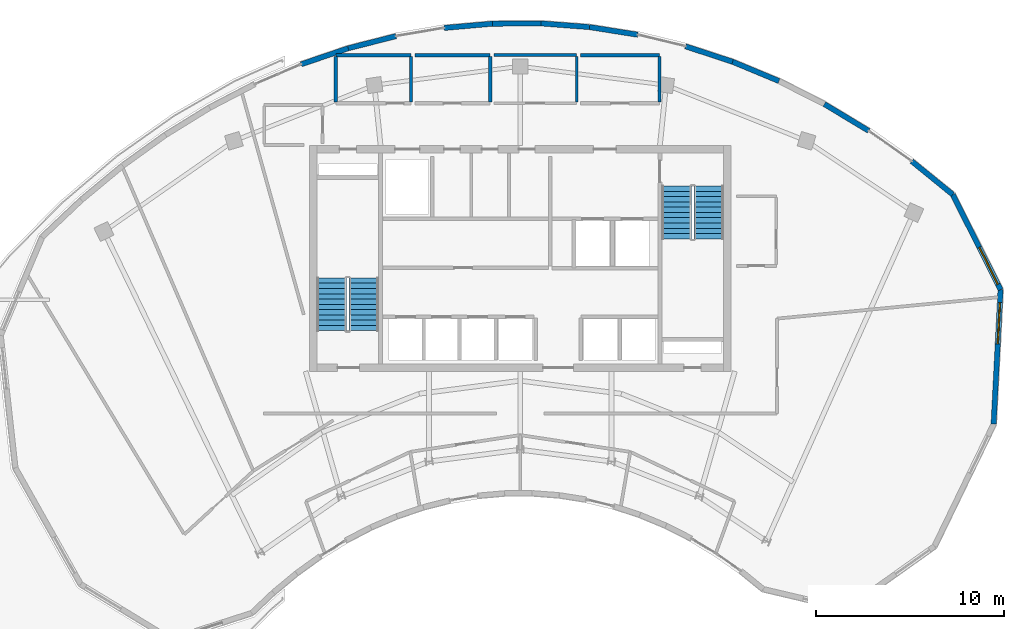
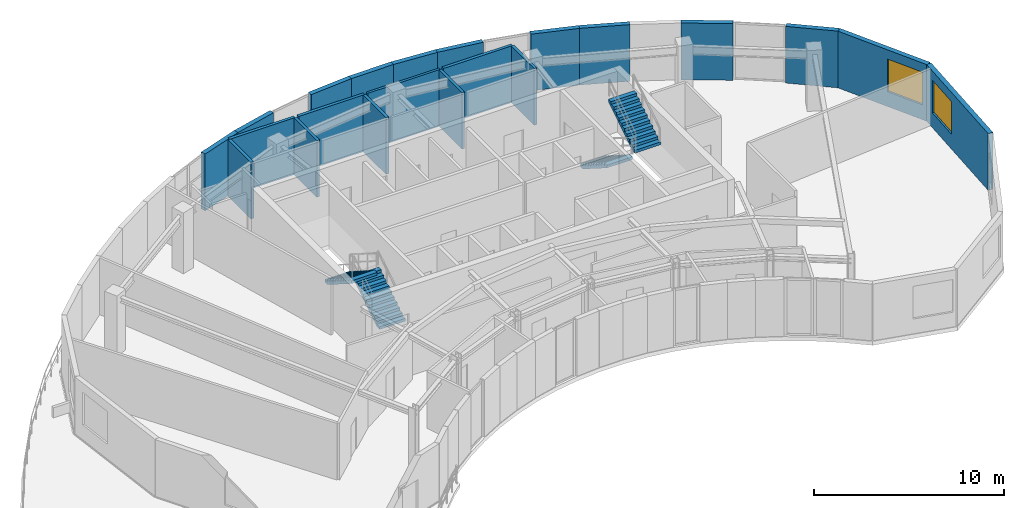
# One storey, part 9 of 11: 21 walls, 4 stair flights, 2 windows, 2 openings, 2 elements without a shape of their own.
"""IFC4 building model written with IfcOpenShell, lengths in metres."""

from ifc_helpers import new_model, si_unit, direction, frame, frame_2d, origin, place, context, subcontext, project, spatial, polyline, rectangle, outline, extrude, source, transform, mapped, material, layer, layer_set, type_object, type_shapes, element, fill, aggregate, save


model = new_model("IFC4")

# Units and contexts
model_context = context("Model", 3, precision=1e-05, world=origin(), true_north=direction((0.0, 1.0)))
body_context = subcontext(model_context, "Body", "Model", "MODEL_VIEW")
ifc_project = project(units=[si_unit("LENGTHUNIT", "METRE"), si_unit("AREAUNIT", "SQUARE_METRE"), si_unit("VOLUMEUNIT", "CUBIC_METRE"), si_unit("PLANEANGLEUNIT", "RADIAN"), si_unit("MASSUNIT", "GRAM", prefix="KILO")], contexts=[model_context])

# Site, building, storey
site_placement = place(None, origin())
site = spatial("IfcSite", under=ifc_project, at=site_placement, CompositionType="ELEMENT")
building_placement = place(site_placement, origin())
building = spatial("IfcBuilding", under=site, at=building_placement, Name="Breltana Convention Tower", CompositionType="ELEMENT")
storey_placement = place(building_placement, frame((0.0, 0.0, 275.699951171875)))
storey = spatial("IfcBuildingStorey", under=building, at=storey_placement, Name="L67", CompositionType="ELEMENT", Elevation=275.699951171875)

# Wall, opening, window
ifc_material_1 = material(Name="Limestone Buff Insulated Wall", Category="masonry")
ifc_layer_1 = layer(ifc_material_1, 0.280029296875, Name="Limestone Buff Insulated Wall")
ifc_layer_set_1 = layer_set([ifc_layer_1], Name="Limestone Buff Insulated Wall")
wall_type_1 = type_object("IfcWallType", Name="WL-EXT-NOSE-280", PredefinedType="SOLIDWALL", material=ifc_layer_set_1)
shared_shape_1 = source(origin(), body_context, "Body", "SweptSolid", [
    extrude(rectangle(XDim=5.6533203125, YDim=0.280029296875, at=frame_2d((2.82666015625, 0.0))), origin(), (0.0, 0.0, 1.0), 3.64013671875),
])
wall_1_placement = place(storey_placement, frame((70.976318359375, 69.5908203125, 0.0), z_axis=(0.0, 0.0, 1.0), x_axis=(0.449302555419, -0.893379658205, 0.0)))
wall_1 = element("IfcWall", 1, at=wall_1_placement, inside=storey, type_object=wall_type_1, Name="L67 curved limestone nose wall E1", PredefinedType="SOLIDWALL", context=body_context, shape_type="MappedRepresentation", body=[
    mapped(shared_shape_1, transform((0.0, 0.0, 0.0), scale=1.0)),
])
opening_1_placement = place(wall_1_placement, frame((3.139892578125, 0.0, 0.949951171875)))
opening_1 = element("IfcOpeningElement", 2, at=opening_1_placement, cuts=wall_1, Name="Opening W-03", PredefinedType="OPENING", context=body_context, shape_type="SweptSolid", body=[
    extrude(rectangle(XDim=2.199951171875, YDim=2.10009765625, at=frame_2d((1.10009765625, 1.050048828125))), frame((0.0, 0.14990234375, 0.0), z_axis=(0.0, -1.0, 0.0), x_axis=(1.0, 0.0, 0.0)), (0.0, 0.0, 1.0), 0.300048828125),
])
ifc_material_2 = material(Name="Glass Low-E Insulated Window", Category="glass")
window_type = type_object("IfcWindowType", Name="WN-NOSE-2200X2100", PartitioningType="TRIPLE_PANEL_VERTICAL", PredefinedType="WINDOW", material=ifc_material_2)
shared_shape_2 = source(origin(), body_context, "Body", "SweptSolid", [
    extrude(rectangle(XDim=2.199951171875, YDim=2.10009765625, at=frame_2d((1.10009765625, 1.050048828125))), frame((0.0, 0.030029296875, 0.0), z_axis=(0.0, -1.0, 0.0), x_axis=(1.0, 0.0, 0.0)), (0.0, 0.0, 1.0), 0.06005859375),
])
type_shapes(window_type, [shared_shape_2])
window_1_placement = place(opening_1_placement, origin())
window_1 = element("IfcWindow", 3, at=window_1_placement, inside=storey, type_object=window_type, Name="L67 nose window E1", OverallHeight=2.10009765625, OverallWidth=2.199951171875, PartitioningType="TRIPLE_PANEL_VERTICAL", PredefinedType="WINDOW", context=body_context, shape_type="MappedRepresentation", body=[
    mapped(shared_shape_2, transform((0.0, 0.0, 0.0), scale=1.0)),
])
fill(opening_1, window_1)

shared_shape_3 = source(origin(), body_context, "Body", "SweptSolid", [
    extrude(rectangle(XDim=7.151123046875, YDim=0.280029296875, at=frame_2d((3.57568359375, 0.0))), origin(), (0.0, 0.0, 1.0), 3.64013671875),
])
wall_2_placement = place(storey_placement, frame((73.516357421875, 64.540283203125, 0.0), z_axis=(0.0, 0.0, 1.0), x_axis=(-0.051449614265, -0.998675591567, 0.0)))
wall_2 = element("IfcWall", 4, at=wall_2_placement, inside=storey, type_object=wall_type_1, Name="L67 curved limestone nose wall E2", PredefinedType="SOLIDWALL", context=body_context, shape_type="MappedRepresentation", body=[
    mapped(shared_shape_3, transform((0.0, 0.0, 0.0), scale=1.0)),
])
opening_2_placement = place(wall_2_placement, frame((0.687744140625, 0.0, 0.949951171875)))
opening_2 = element("IfcOpeningElement", 5, at=opening_2_placement, cuts=wall_2, Name="Opening W-03", PredefinedType="OPENING", context=body_context, shape_type="SweptSolid", body=[
    extrude(rectangle(XDim=2.199951171875, YDim=2.10009765625, at=frame_2d((1.10009765625, 1.050048828125))), frame((0.0, 0.14990234375, 0.0), z_axis=(0.0, -1.0, 0.0), x_axis=(1.0, 0.0, 0.0)), (0.0, 0.0, 1.0), 0.300048828125),
])
window_2_placement = place(opening_2_placement, origin())
window_2 = element("IfcWindow", 6, at=window_2_placement, inside=storey, type_object=window_type, Name="L67 nose window E2", OverallHeight=2.10009765625, OverallWidth=2.199951171875, PartitioningType="TRIPLE_PANEL_VERTICAL", PredefinedType="WINDOW", context=body_context, shape_type="MappedRepresentation", body=[
    mapped(shared_shape_2, transform((0.0, 0.0, 0.0), scale=1.0)),
])
fill(opening_2, window_2)

# Walls
shared_shape_4 = source(origin(), body_context, "Body", "SweptSolid", [
    extrude(rectangle(XDim=2.640380859375, YDim=0.280029296875, at=frame_2d((1.3203125, 0.0))), origin(), (0.0, 0.0, 1.0), 3.64013671875),
])
wall_3_placement = place(storey_placement, frame((36.36376953125, 76.51123046875, 0.0), z_axis=(0.0, 0.0, 1.0), x_axis=(0.946685911962, 0.322158011064, 0.0)))
element("IfcWall", 7, at=wall_3_placement, inside=storey, type_object=wall_type_1, Name="L67 curved limestone nose wall E20", PredefinedType="SOLIDWALL", context=body_context, shape_type="MappedRepresentation", body=[
    mapped(shared_shape_4, transform((0.0, 0.0, 0.0), scale=1.0)),
])
shared_shape_5 = source(origin(), body_context, "Body", "SweptSolid", [
    extrude(rectangle(XDim=2.6142578125, YDim=0.280029296875, at=frame_2d((1.30712890625, 0.0))), origin(), (0.0, 0.0, 1.0), 3.64013671875),
])
wall_4_placement = place(storey_placement, frame((38.86328125, 77.36181640625, 0.0), z_axis=(0.0, 0.0, 1.0), x_axis=(0.969106509315, 0.246642602978, 0.0)))
element("IfcWall", 8, at=wall_4_placement, inside=storey, type_object=wall_type_1, Name="L67 curved limestone nose wall E21", PredefinedType="SOLIDWALL", context=body_context, shape_type="MappedRepresentation", body=[
    mapped(shared_shape_5, transform((0.0, 0.0, 0.0), scale=1.0)),
])
shared_shape_6 = source(origin(), body_context, "Body", "SweptSolid", [
    extrude(rectangle(XDim=2.58251953125, YDim=0.280029296875, at=frame_2d((1.291259765625, 0.0))), origin(), (0.0, 0.0, 1.0), 3.64013671875),
])
wall_5_placement = place(storey_placement, frame((43.954345703125, 78.4423828125, 0.0), z_axis=(0.0, 0.0, 1.0), x_axis=(0.996168946569, 0.087449584851, 0.0)))
element("IfcWall", 9, at=wall_5_placement, inside=storey, type_object=wall_type_1, Name="L67 curved limestone nose wall E22", PredefinedType="SOLIDWALL", context=body_context, shape_type="MappedRepresentation", body=[
    mapped(shared_shape_6, transform((0.0, 0.0, 0.0), scale=1.0)),
])
shared_shape_7 = source(origin(), body_context, "Body", "SweptSolid", [
    extrude(rectangle(XDim=2.578125, YDim=0.280029296875, at=frame_2d((1.2890625, 0.0))), origin(), (0.0, 0.0, 1.0), 3.64013671875),
])
wall_6_placement = place(storey_placement, frame((46.52685546875, 78.668212890625, 0.0), z_axis=(0.0, 0.0, 1.0), x_axis=(0.999982204439, 0.005965802924, 0.0)))
element("IfcWall", 10, at=wall_6_placement, inside=storey, type_object=wall_type_1, Name="L67 curved limestone nose wall E23", PredefinedType="SOLIDWALL", context=body_context, shape_type="MappedRepresentation", body=[
    mapped(shared_shape_7, transform((0.0, 0.0, 0.0), scale=1.0)),
])
shared_shape_8 = source(origin(), body_context, "Body", "SweptSolid", [
    extrude(rectangle(XDim=2.581298828125, YDim=0.280029296875, at=frame_2d((1.29052734375, 0.0))), origin(), (0.0, 0.0, 1.0), 3.64013671875),
])
wall_7_placement = place(storey_placement, frame((49.10498046875, 78.68359375, 0.0), z_axis=(0.0, 0.0, 1.0), x_axis=(0.997111514352, -0.075951484161, 0.0)))
element("IfcWall", 11, at=wall_7_placement, inside=storey, type_object=wall_type_1, Name="L67 curved limestone nose wall E24", PredefinedType="SOLIDWALL", context=body_context, shape_type="MappedRepresentation", body=[
    mapped(shared_shape_8, transform((0.0, 0.0, 0.0), scale=1.0)),
])
shared_shape_9 = source(origin(), body_context, "Body", "SweptSolid", [
    extrude(rectangle(XDim=2.592529296875, YDim=0.280029296875, at=frame_2d((1.29638671875, 0.0))), origin(), (0.0, 0.0, 1.0), 3.64013671875),
])
wall_8_placement = place(storey_placement, frame((51.6787109375, 78.487548828125, 0.0), z_axis=(0.0, 0.0, 1.0), x_axis=(0.987661204406, -0.156605700126, 0.0)))
element("IfcWall", 12, at=wall_8_placement, inside=storey, type_object=wall_type_1, Name="L67 curved limestone nose wall E25", PredefinedType="SOLIDWALL", context=body_context, shape_type="MappedRepresentation", body=[
    mapped(shared_shape_9, transform((0.0, 0.0, 0.0), scale=1.0)),
])
shared_shape_10 = source(origin(), body_context, "Body", "SweptSolid", [
    extrude(rectangle(XDim=2.63623046875, YDim=0.280029296875, at=frame_2d((1.318115234375, 0.0))), origin(), (0.0, 0.0, 1.0), 3.64013671875),
])
wall_9_placement = place(storey_placement, frame((56.776611328125, 77.466796875, 0.0), z_axis=(0.0, 0.0, 1.0), x_axis=(0.950200321617, -0.311639774097, 0.0)))
element("IfcWall", 13, at=wall_9_placement, inside=storey, type_object=wall_type_1, Name="L67 curved limestone nose wall E26", PredefinedType="SOLIDWALL", context=body_context, shape_type="MappedRepresentation", body=[
    mapped(shared_shape_10, transform((0.0, 0.0, 0.0), scale=1.0)),
])
shared_shape_11 = source(origin(), body_context, "Body", "SweptSolid", [
    extrude(rectangle(XDim=2.668212890625, YDim=0.280029296875, at=frame_2d((1.333984375, 0.0))), origin(), (0.0, 0.0, 1.0), 3.64013671875),
])
wall_10_placement = place(storey_placement, frame((59.281494140625, 76.645263671875, 0.0), z_axis=(0.0, 0.0, 1.0), x_axis=(0.923290633029, -0.384102078828, 0.0)))
element("IfcWall", 14, at=wall_10_placement, inside=storey, type_object=wall_type_1, Name="L67 curved limestone nose wall E27", PredefinedType="SOLIDWALL", context=body_context, shape_type="MappedRepresentation", body=[
    mapped(shared_shape_11, transform((0.0, 0.0, 0.0), scale=1.0)),
])
shared_shape_12 = source(origin(), body_context, "Body", "SweptSolid", [
    extrude(rectangle(XDim=2.748291015625, YDim=0.280029296875, at=frame_2d((1.3740234375, 0.0))), origin(), (0.0, 0.0, 1.0), 3.64013671875),
])
wall_11_placement = place(storey_placement, frame((64.157470703125, 74.3955078125, 0.0), z_axis=(0.0, 0.0, 1.0), x_axis=(0.856149718453, -0.516727838996, 0.0)))
element("IfcWall", 15, at=wall_11_placement, inside=storey, type_object=wall_type_1, Name="L67 curved limestone nose wall E29", PredefinedType="SOLIDWALL", context=body_context, shape_type="MappedRepresentation", body=[
    mapped(shared_shape_12, transform((0.0, 0.0, 0.0), scale=1.0)),
])
shared_shape_13 = source(origin(), body_context, "Body", "SweptSolid", [
    extrude(rectangle(XDim=2.811767578125, YDim=0.280029296875, at=frame_2d((1.40576171875, 0.0))), origin(), (0.0, 0.0, 1.0), 3.64013671875),
])
wall_12_placement = place(storey_placement, frame((68.794677734375, 71.36474609375, 0.0), z_axis=(0.0, 0.0, 1.0), x_axis=(0.775880230716, -0.630880232361, 0.0)))
element("IfcWall", 16, at=wall_12_placement, inside=storey, type_object=wall_type_1, Name="L67 curved limestone nose wall E30", PredefinedType="SOLIDWALL", context=body_context, shape_type="MappedRepresentation", body=[
    mapped(shared_shape_13, transform((0.0, 0.0, 0.0), scale=1.0)),
])
ifc_material_3 = material(Name="Moisture-Resistant Gypsum Chase Wall")
ifc_layer_2 = layer(ifc_material_3, 0.179931640625, Name="Moisture-Resistant Gypsum Chase Wall")
ifc_layer_set_2 = layer_set([ifc_layer_2], Name="Moisture-Resistant Gypsum Chase Wall")
wall_type_2 = type_object("IfcWallType", Name="WL-PLUMB-180", PredefinedType="PLUMBINGWALL", material=ifc_layer_set_2)
shared_shape_14 = source(origin(), body_context, "Body", "SweptSolid", [
    extrude(rectangle(XDim=4.0, YDim=0.179931640625, at=frame_2d((2.0, 0.0))), origin(), (0.0, 0.0, 1.0), 3.64013671875),
])
for number, where, z_axis, x_axis, name in (
    (17, (38.199951171875, 77.0, 0.0), (0.0, 0.0, 1.0), (1.0, 0.0, 0.0), "L67 interior partition W-L67-WCM-N"),
    (18, (42.39990234375, 77.0, 0.0), (0.0, 0.0, 1.0), (1.0, 0.0, 0.0), "L67 interior partition W-L67-WCF-N"),
):
    element("IfcWall", number, at=place(storey_placement, frame(where, z_axis=z_axis, x_axis=x_axis)), inside=storey, type_object=wall_type_2, Name=name, PredefinedType="PLUMBINGWALL", context=body_context, shape_type="MappedRepresentation", body=[
        mapped(shared_shape_14, transform((0.0, 0.0, 0.0), scale=1.0)),
    ])
ifc_material_4 = material(Name="Cement Board Wet-Area Partition")
ifc_layer_3 = layer(ifc_material_4, 0.175048828125, Name="Cement Board Wet-Area Partition")
ifc_layer_set_3 = layer_set([ifc_layer_3], Name="Cement Board Wet-Area Partition")
wall_type_3 = type_object("IfcWallType", Name="WL-WET-175", PredefinedType="PARTITIONING", material=ifc_layer_set_3)
shared_shape_15 = source(origin(), body_context, "Body", "SweptSolid", [
    extrude(rectangle(XDim=2.402587890625, YDim=0.175048828125, at=frame_2d((1.201171875, 0.0))), origin(), (0.0, 0.0, 1.0), 3.64013671875),
])
for number, where, z_axis, x_axis, name in (
    (19, (38.199951171875, 74.518798828125, 0.0), (0.0, 0.0, 1.0), (0.0, 1.0, 0.0), "L67 interior partition W-L67-WCM-W"),
    (20, (42.199951171875, 74.518798828125, 0.0), (0.0, 0.0, 1.0), (0.0, 1.0, 0.0), "L67 interior partition W-L67-WCM-E"),
    (21, (46.39990234375, 74.518798828125, 0.0), (0.0, 0.0, 1.0), (0.0, 1.0, 0.0), "L67 interior partition W-L67-WCF-E"),
    (22, (55.39990234375, 74.518798828125, 0.0), (0.0, 0.0, 1.0), (0.0, 1.0, 0.0), "L67 interior partition W-L67-WCA-E"),
):
    element("IfcWall", number, at=place(storey_placement, frame(where, z_axis=z_axis, x_axis=x_axis)), inside=storey, type_object=wall_type_3, Name=name, PredefinedType="PARTITIONING", context=body_context, shape_type="MappedRepresentation", body=[
        mapped(shared_shape_15, transform((0.0, 0.0, 0.0), scale=1.0)),
    ])
ifc_material_5 = material(Name="Gypsum Acoustic Drywall Partition")
ifc_layer_4 = layer(ifc_material_5, 0.14990234375, Name="Gypsum Acoustic Drywall Partition")
ifc_layer_set_4 = layer_set([ifc_layer_4], Name="Gypsum Acoustic Drywall Partition")
wall_type_4 = type_object("IfcWallType", Name="WL-PART-150", PredefinedType="PARTITIONING", material=ifc_layer_set_4)
shared_shape_16 = source(origin(), body_context, "Body", "SweptSolid", [
    extrude(rectangle(XDim=4.39990234375, YDim=0.14990234375, at=frame_2d((2.199951171875, 0.0))), origin(), (0.0, 0.0, 1.0), 3.64013671875),
])
wall_13_placement = place(storey_placement, frame((46.60009765625, 77.0, 0.0), z_axis=(0.0, 0.0, 1.0), x_axis=(1.0, 0.0, 0.0)))
element("IfcWall", 23, at=wall_13_placement, inside=storey, type_object=wall_type_4, Name="L67 interior partition W-L67-PNT-N", PredefinedType="PARTITIONING", context=body_context, shape_type="MappedRepresentation", body=[
    mapped(shared_shape_16, transform((0.0, 0.0, 0.0), scale=1.0)),
])
shared_shape_17 = source(origin(), body_context, "Body", "SweptSolid", [
    extrude(rectangle(XDim=2.425048828125, YDim=0.14990234375, at=frame_2d((1.21240234375, 0.0))), origin(), (0.0, 0.0, 1.0), 3.64013671875),
])
wall_14_placement = place(storey_placement, frame((51.0, 74.507568359375, 0.0), z_axis=(0.0, 0.0, 1.0), x_axis=(0.0, 1.0, 0.0)))
element("IfcWall", 24, at=wall_14_placement, inside=storey, type_object=wall_type_4, Name="L67 interior partition W-L67-PNT-E", PredefinedType="PARTITIONING", context=body_context, shape_type="MappedRepresentation", body=[
    mapped(shared_shape_17, transform((0.0, 0.0, 0.0), scale=1.0)),
])
shared_shape_18 = source(origin(), body_context, "Body", "SweptSolid", [
    extrude(rectangle(XDim=4.199951171875, YDim=0.179931640625, at=frame_2d((2.10009765625, 0.0))), origin(), (0.0, 0.0, 1.0), 3.64013671875),
])
wall_15_placement = place(storey_placement, frame((51.199951171875, 77.0, 0.0), z_axis=(0.0, 0.0, 1.0), x_axis=(1.0, 0.0, 0.0)))
element("IfcWall", 25, at=wall_15_placement, inside=storey, type_object=wall_type_2, Name="L67 interior partition W-L67-WCA-N", PredefinedType="PLUMBINGWALL", context=body_context, shape_type="MappedRepresentation", body=[
    mapped(shared_shape_18, transform((0.0, 0.0, 0.0), scale=1.0)),
])

# Stair, stair flights
ifc_material_6 = material(Name="Concrete C40/50", Category="concrete")
stair_type = type_object("IfcStairType", Name="ST-DOG-1560-R177", PredefinedType="HALF_TURN_STAIR", material=ifc_material_6)
stair_1_placement = place(storey_placement, origin())
stair_1 = element("IfcStair", 26, at=stair_1_placement, inside=storey, type_object=stair_type, Name="L67 Protected Core Exit Stair ST-1", PredefinedType="HALF_TURN_STAIR")
stair_flight_type = type_object("IfcStairFlightType", Name="STF-DOG-1560-N11-R177", PredefinedType="STRAIGHT", material=ifc_material_6)
stair_flight_1_placement = place(storey_placement, frame((39.68994140625, 62.360107421875, 0.0), z_axis=(0.0, 0.0, 1.0), x_axis=(0.0, 1.0, 0.0)))
stair_flight_1 = element("IfcStairFlight", 27, at=stair_flight_1_placement, type_object=stair_flight_type, Name="ST-1 flight 1", NumberOfRisers=11, NumberOfTreads=10, PredefinedType="STRAIGHT", RiserHeight=0.177272727, TreadLength=0.28, context=body_context, shape_type="SweptSolid", body=[
    extrude(outline(polyline([(0.0, 0.0), (0.0, 0.17724609375), (0.280029296875, 0.17724609375), (0.280029296875, 0.3544921875), (0.56005859375, 0.3544921875), (0.56005859375, 0.53173828125), (0.840087890625, 0.53173828125), (0.840087890625, 0.708984375), (1.1201171875, 0.708984375), (1.1201171875, 0.886474609375), (1.39990234375, 0.886474609375), (1.39990234375, 1.063720703125), (1.679931640625, 1.063720703125), (1.679931640625, 1.240966796875), (1.9599609375, 1.240966796875), (1.9599609375, 1.418212890625), (2.239990234375, 1.418212890625), (2.239990234375, 1.595458984375), (2.52001953125, 1.595458984375), (2.52001953125, 1.772705078125), (2.800048828125, 1.772705078125), (2.800048828125, 1.949951171875), (2.800048828125, 1.59521484375), (0.2802734375, 0.0), (0.0, 0.0)])), frame((0.0, 0.780029296875, 0.0), z_axis=(0.0, -1.0, 0.0), x_axis=(1.0, 0.0, 0.0)), (0.0, 0.0, 1.0), 1.56005859375),
])
stair_flight_2_placement = place(storey_placement, frame((37.97998046875, 65.159912109375, 1.949951171875), z_axis=(0.0, 0.0, 1.0), x_axis=(0.0, -1.0, 0.0)))
stair_flight_2 = element("IfcStairFlight", 28, at=stair_flight_2_placement, type_object=stair_flight_type, Name="ST-1 flight 2", NumberOfRisers=11, NumberOfTreads=10, PredefinedType="STRAIGHT", RiserHeight=0.177272727, TreadLength=0.28, context=body_context, shape_type="SweptSolid", body=[
    extrude(outline(polyline([(0.0, 0.0), (0.0, 0.17724609375), (0.280029296875, 0.17724609375), (0.280029296875, 0.3544921875), (0.56005859375, 0.3544921875), (0.56005859375, 0.53173828125), (0.840087890625, 0.53173828125), (0.840087890625, 0.708984375), (1.1201171875, 0.708984375), (1.1201171875, 0.886474609375), (1.39990234375, 0.886474609375), (1.39990234375, 1.063720703125), (1.679931640625, 1.063720703125), (1.679931640625, 1.240966796875), (1.9599609375, 1.240966796875), (1.9599609375, 1.418212890625), (2.239990234375, 1.418212890625), (2.239990234375, 1.595458984375), (2.52001953125, 1.595458984375), (2.52001953125, 1.772705078125), (2.800048828125, 1.772705078125), (2.800048828125, 1.949951171875), (2.800048828125, 1.59521484375), (0.2802734375, 0.0), (0.0, 0.0)])), frame((0.0, 0.780029296875, 0.0), z_axis=(0.0, -1.0, 0.0), x_axis=(1.0, 0.0, 0.0)), (0.0, 0.0, 1.0), 1.56005859375),
])
aggregate(stair_1, [stair_flight_1, stair_flight_2])

stair_2_placement = place(storey_placement, origin())
stair_2 = element("IfcStair", 29, at=stair_2_placement, inside=storey, type_object=stair_type, Name="L67 Protected Core Exit Stair ST-2", PredefinedType="HALF_TURN_STAIR")
stair_flight_3_placement = place(storey_placement, frame((56.31005859375, 70.0400390625, 0.0), z_axis=(0.0, 0.0, 1.0), x_axis=(0.0, -1.0, 0.0)))
stair_flight_3 = element("IfcStairFlight", 30, at=stair_flight_3_placement, type_object=stair_flight_type, Name="ST-2 flight 1", NumberOfRisers=11, NumberOfTreads=10, PredefinedType="STRAIGHT", RiserHeight=0.177272727, TreadLength=0.28, context=body_context, shape_type="SweptSolid", body=[
    extrude(outline(polyline([(0.0, 0.0), (0.0, 0.17724609375), (0.280029296875, 0.17724609375), (0.280029296875, 0.3544921875), (0.56005859375, 0.3544921875), (0.56005859375, 0.53173828125), (0.840087890625, 0.53173828125), (0.840087890625, 0.708984375), (1.1201171875, 0.708984375), (1.1201171875, 0.886474609375), (1.39990234375, 0.886474609375), (1.39990234375, 1.063720703125), (1.679931640625, 1.063720703125), (1.679931640625, 1.240966796875), (1.9599609375, 1.240966796875), (1.9599609375, 1.418212890625), (2.239990234375, 1.418212890625), (2.239990234375, 1.595458984375), (2.52001953125, 1.595458984375), (2.52001953125, 1.772705078125), (2.800048828125, 1.772705078125), (2.800048828125, 1.949951171875), (2.800048828125, 1.59521484375), (0.2802734375, 0.0), (0.0, 0.0)])), frame((0.0, 0.780029296875, 0.0), z_axis=(0.0, -1.0, 0.0), x_axis=(1.0, 0.0, 0.0)), (0.0, 0.0, 1.0), 1.56005859375),
])
stair_flight_4_placement = place(storey_placement, frame((58.02001953125, 67.239990234375, 1.949951171875), z_axis=(0.0, 0.0, 1.0), x_axis=(0.0, 1.0, 0.0)))
stair_flight_4 = element("IfcStairFlight", 31, at=stair_flight_4_placement, type_object=stair_flight_type, Name="ST-2 flight 2", NumberOfRisers=11, NumberOfTreads=10, PredefinedType="STRAIGHT", RiserHeight=0.177272727, TreadLength=0.28, context=body_context, shape_type="SweptSolid", body=[
    extrude(outline(polyline([(0.0, 0.0), (0.0, 0.17724609375), (0.280029296875, 0.17724609375), (0.280029296875, 0.3544921875), (0.56005859375, 0.3544921875), (0.56005859375, 0.53173828125), (0.840087890625, 0.53173828125), (0.840087890625, 0.708984375), (1.1201171875, 0.708984375), (1.1201171875, 0.886474609375), (1.39990234375, 0.886474609375), (1.39990234375, 1.063720703125), (1.679931640625, 1.063720703125), (1.679931640625, 1.240966796875), (1.9599609375, 1.240966796875), (1.9599609375, 1.418212890625), (2.239990234375, 1.418212890625), (2.239990234375, 1.595458984375), (2.52001953125, 1.595458984375), (2.52001953125, 1.772705078125), (2.800048828125, 1.772705078125), (2.800048828125, 1.949951171875), (2.800048828125, 1.59521484375), (0.2802734375, 0.0), (0.0, 0.0)])), frame((0.0, 0.780029296875, 0.0), z_axis=(0.0, -1.0, 0.0), x_axis=(1.0, 0.0, 0.0)), (0.0, 0.0, 1.0), 1.56005859375),
])
aggregate(stair_2, [stair_flight_3, stair_flight_4])

save(model, "model.ifc")
